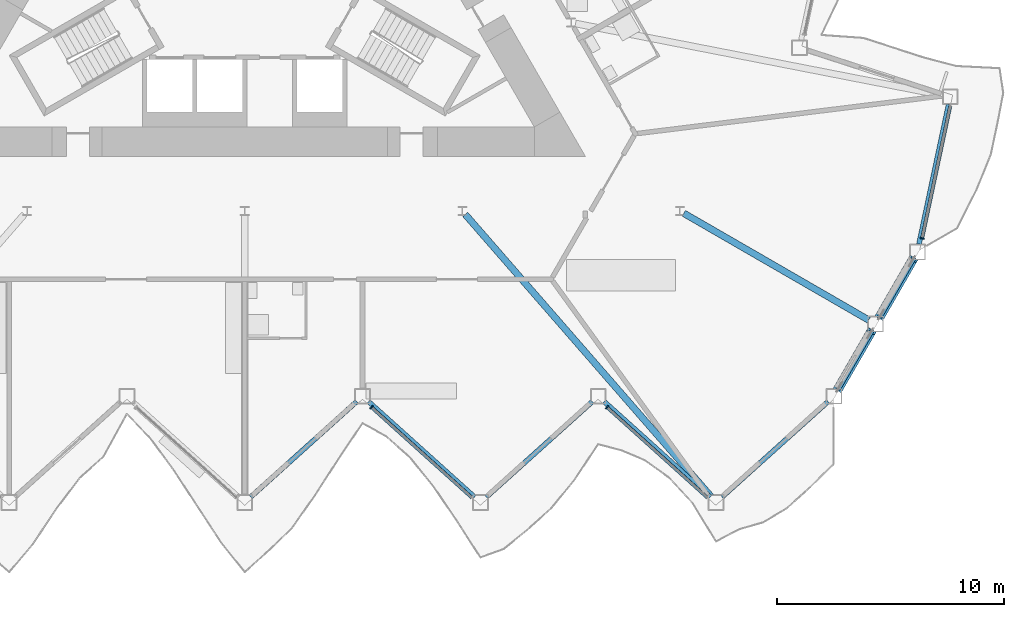
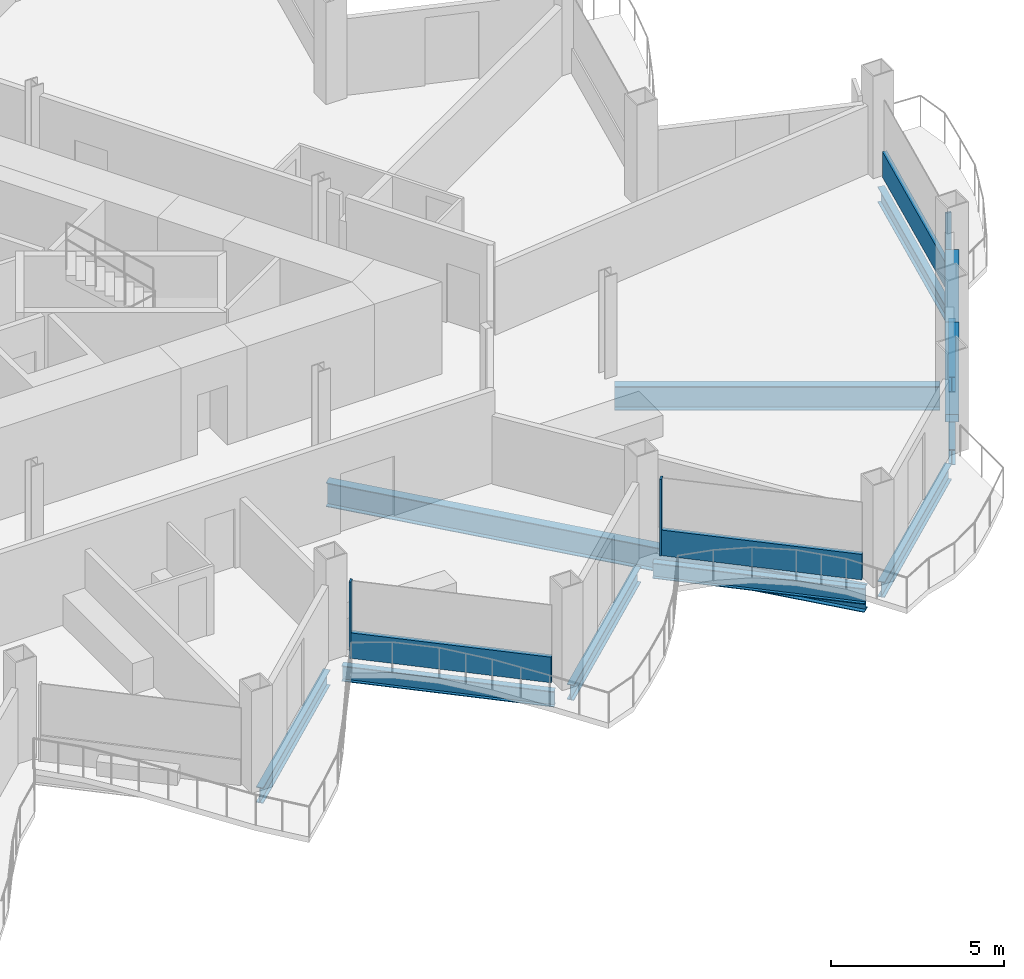
# One storey, part 6 of 24: 10 beams, 8 members, 3 elements without a shape of their own.
"""IFC4 building model written with IfcOpenShell, lengths in metres."""

from ifc_helpers import new_model, si_unit, direction, frame, origin, origin_2d, place, context, subcontext, project, spatial, rectangle, hollow_rectangle, i_section, extrude, material, layer, layer_set, material_profile, profile_set, type_object, element, aggregate, save


model = new_model("IFC4")

# Units and contexts
model_context = context("Model", 3, precision=1e-05, world=origin(), true_north=direction((0.0, 1.0)))
body_context = subcontext(model_context, "Body", "Model", "MODEL_VIEW")
ifc_project = project(units=[si_unit("LENGTHUNIT", "METRE"), si_unit("AREAUNIT", "SQUARE_METRE"), si_unit("VOLUMEUNIT", "CUBIC_METRE"), si_unit("PLANEANGLEUNIT", "RADIAN"), si_unit("MASSUNIT", "GRAM", prefix="KILO")], contexts=[model_context])

# Site, building, storey
site_placement = place(None, origin())
site = spatial("IfcSite", under=ifc_project, at=site_placement, CompositionType="ELEMENT")
building_placement = place(site_placement, origin())
building = spatial("IfcBuilding", under=site, at=building_placement, Name="Cormorant Prow Tower", CompositionType="ELEMENT")
storey_placement = place(building_placement, frame((0.0, 0.0, 274.199951171875)))
storey = spatial("IfcBuildingStorey", under=building, at=storey_placement, Name="L62", CompositionType="ELEMENT", Elevation=274.199951171875)

# Members
ifc_material_1 = material(Name="Structural steel ASTM A500 Gr C", Category="steel")
ifc_material_profile_1 = material_profile(ifc_material_1, hollow_rectangle(XDim=0.406494140625, YDim=0.406494140625, WallThickness=0.01171875, at=origin_2d()), Name="HSS16x16x1/2")
ifc_profile_set_1 = profile_set([ifc_material_profile_1], Name="Structural steel ASTM A500 Gr C")
member_type_1 = type_object("IfcMemberType", Name="Chamfer brace HSS16x16x1/2", PredefinedType="BRACE", material=ifc_profile_set_1)
for number, where, z_axis, x_axis, name in (
    (1, (26.1240234375, -18.898681640625, 0.74951171875), (0.462773096913, 0.801606962687, 0.378506721399), (-0.866041729639, 0.499971721724, 0.0), "Chamfer brace BR2 at ESE00 L62"),
    (2, (27.959228515625, -15.719970703125, 0.74951171875), (0.462773096913, 0.801606962687, 0.378506721399), (-0.866041729639, 0.499971721724, 0.0), "Chamfer brace BR2 at ESE01 L62"),
):
    element("IfcMember", number, at=place(storey_placement, frame(where, z_axis=z_axis, x_axis=x_axis)), inside=storey, type_object=member_type_1, Name=name, PredefinedType="BRACE", context=body_context, shape_type="SweptSolid", body=[
        extrude(hollow_rectangle(XDim=0.406494140625, YDim=0.406494140625, WallThickness=0.01171875, at=origin_2d()), origin(), (0.0, 0.0, 1.0), 3.17529296875),
    ])

# Curtain wall, member
ifc_material_2 = material(Name="Aluminium 6063-T6", Category="aluminium")
ifc_layer = layer(ifc_material_2, 0.179931640625)
ifc_layer_set = layer_set([ifc_layer], Name="Aluminium 6063-T6")
curtain_wall_type = type_object("IfcCurtainWallType", Name="Hotel unitised curtain wall 180", PredefinedType="NOTDEFINED", material=ifc_layer_set)
curtain_wall_1_placement = place(storey_placement, origin())
curtain_wall_1 = element("IfcCurtainWall", 3, at=curtain_wall_1_placement, inside=storey, type_object=curtain_wall_type, Name="Hotel curtain wall S06", PredefinedType="NOTDEFINED")
ifc_material_3 = material(Name="Aluminium 6063-T6", Category="aluminium")
ifc_material_profile_2 = material_profile(ifc_material_3, rectangle(XDim=0.179931640625, YDim=0.06005859375, at=origin_2d()), Name="Hotel mullion 60x180")
ifc_profile_set_2 = profile_set([ifc_material_profile_2], Name="Aluminium 6063-T6")
member_type_2 = type_object("IfcMemberType", Name="Hotel mullion 60x180", PredefinedType="MULLION", material=ifc_profile_set_2)
member_1_placement = place(storey_placement, frame((5.579833984375, -19.701904296875, 0.0), z_axis=(0.0, 0.0, 1.0), x_axis=(0.669130609926, 0.743144822266, 0.0)))
member_1 = element("IfcMember", 4, at=member_1_placement, type_object=member_type_2, Name="Hotel mullion S06", PredefinedType="MULLION", context=body_context, shape_type="SweptSolid", body=[
    extrude(rectangle(XDim=0.179931640625, YDim=0.06005859375, at=origin_2d()), origin(), (0.0, 0.0, 1.0), 2.700927734375),
])

curtain_wall_2_placement = place(storey_placement, origin())
curtain_wall_2 = element("IfcCurtainWall", 5, at=curtain_wall_2_placement, inside=storey, type_object=curtain_wall_type, Name="Hotel curtain wall S08", PredefinedType="NOTDEFINED")
member_2_placement = place(storey_placement, frame((15.9501953125, -19.701904296875, 0.0), z_axis=(0.0, 0.0, 1.0), x_axis=(0.669130609926, 0.743144822266, 0.0)))
member_2 = element("IfcMember", 6, at=member_2_placement, type_object=member_type_2, Name="Hotel mullion S08", PredefinedType="MULLION", context=body_context, shape_type="SweptSolid", body=[
    extrude(rectangle(XDim=0.179931640625, YDim=0.06005859375, at=origin_2d()), origin(), (0.0, 0.0, 1.0), 2.700927734375),
])

curtain_wall_3_placement = place(storey_placement, origin())
curtain_wall_3 = element("IfcCurtainWall", 7, at=curtain_wall_3_placement, inside=storey, type_object=curtain_wall_type, Name="Hotel curtain wall ENE00", PredefinedType="NOTDEFINED")
member_3_placement = place(storey_placement, frame((29.828125, -12.260009765625, 0.0), z_axis=(0.0, 0.0, 1.0), x_axis=(-0.978147597562, 0.207911705739, 0.0)))
member_3 = element("IfcMember", 8, at=member_3_placement, type_object=member_type_2, Name="Hotel mullion ENE00", PredefinedType="MULLION", context=body_context, shape_type="SweptSolid", body=[
    extrude(rectangle(XDim=0.179931640625, YDim=0.06005859375, at=origin_2d()), origin(), (0.0, 0.0, 1.0), 2.700927734375),
])

# Member
ifc_material_4 = material(Name="Terracotta", Category="masonry")
ifc_material_profile_3 = material_profile(ifc_material_4, rectangle(XDim=0.139892578125, YDim=0.89990234375, at=origin_2d()), Name="Hotel terracotta spandrel rail 140x900")
ifc_profile_set_3 = profile_set([ifc_material_profile_3], Name="Terracotta")
member_type_3 = type_object("IfcMemberType", Name="Hotel terracotta spandrel rail 140x900", PredefinedType="USERDEFINED", material=ifc_profile_set_3)
member_4_placement = place(storey_placement, frame((5.60205078125, -19.721923828125, 0.449951171875), z_axis=(0.743138160078, -0.669138008961, 0.0), x_axis=(0.669138008961, 0.743138160078, 0.0)))
member_4 = element("IfcMember", 9, at=member_4_placement, type_object=member_type_3, Name="Hotel spandrel rail S06", ObjectType="TRANSOM", PredefinedType="USERDEFINED", context=body_context, shape_type="SweptSolid", body=[
    extrude(rectangle(XDim=0.139892578125, YDim=0.89990234375, at=origin_2d()), origin(), (0.0, 0.0, 1.0), 5.91552734375),
])

aggregate(curtain_wall_1, [member_1, member_4])

member_5_placement = place(storey_placement, frame((15.97265625, -19.721923828125, 0.449951171875), z_axis=(0.743119680004, -0.669158532181, 0.0), x_axis=(0.669158532181, 0.743119680004, 0.0)))
member_5 = element("IfcMember", 10, at=member_5_placement, type_object=member_type_3, Name="Hotel spandrel rail S08", ObjectType="TRANSOM", PredefinedType="USERDEFINED", context=body_context, shape_type="SweptSolid", body=[
    extrude(rectangle(XDim=0.139892578125, YDim=0.89990234375, at=origin_2d()), origin(), (0.0, 0.0, 1.0), 5.915283203125),
])

aggregate(curtain_wall_2, [member_2, member_5])

member_6_placement = place(storey_placement, frame((29.834228515625, -12.230712890625, 0.449951171875), z_axis=(0.2079278606, 0.978144163601, 0.0), x_axis=(-0.978144163601, 0.2079278606, 0.0)))
member_6 = element("IfcMember", 11, at=member_6_placement, type_object=member_type_3, Name="Hotel spandrel rail ENE00", ObjectType="TRANSOM", PredefinedType="USERDEFINED", context=body_context, shape_type="SweptSolid", body=[
    extrude(rectangle(XDim=0.139892578125, YDim=0.89990234375, at=origin_2d()), origin(), (0.0, 0.0, 1.0), 5.91552734375),
])

aggregate(curtain_wall_3, [member_3, member_6])

# Beams
ifc_material_5 = material(Name="Structural steel ASTM A992 Gr 50", Category="steel")
ifc_material_profile_4 = material_profile(ifc_material_5, i_section(OverallWidth=0.29296875, OverallDepth=0.845703125, WebThickness=0.015380859375, FlangeThickness=0.0244140625, at=origin_2d()), Name="W33x141")
ifc_profile_set_4 = profile_set([ifc_material_profile_4], Name="Structural steel ASTM A992 Gr 50")
beam_type_1 = type_object("IfcBeamType", Name="Radial floor beam W33x141", PredefinedType="BEAM", material=ifc_profile_set_4)
beam_1_placement = place(storey_placement, frame((9.70947265625, -11.210693359375, -0.77294921875), z_axis=(0.656874593387, -0.753999846527, 0.0), x_axis=(0.753999846527, 0.656874593387, 0.0)))
element("IfcBeam", 12, at=beam_1_placement, inside=storey, type_object=beam_type_1, Name="Radial floor beam FB2 8 L62", PredefinedType="BEAM", context=body_context, shape_type="SweptSolid", body=[
    extrude(i_section(OverallWidth=0.29296875, OverallDepth=0.845703125, WebThickness=0.015380859375, FlangeThickness=0.0244140625, at=origin_2d()), origin(), (0.0, 0.0, 1.0), 16.4619140625),
])
beam_2_placement = place(storey_placement, frame((19.32958984375, -11.159912109375, -0.77294921875), z_axis=(0.866021726843, -0.500006368596, 0.0), x_axis=(0.500006368596, 0.866021726843, 0.0)))
element("IfcBeam", 13, at=beam_2_placement, inside=storey, type_object=beam_type_1, Name="Radial floor beam FB2 9 L62", PredefinedType="BEAM", context=body_context, shape_type="SweptSolid", body=[
    extrude(i_section(OverallWidth=0.29296875, OverallDepth=0.845703125, WebThickness=0.015380859375, FlangeThickness=0.0244140625, at=origin_2d()), origin(), (0.0, 0.0, 1.0), 9.40380859375),
])
ifc_material_6 = material(Name="Structural steel ASTM A992 Gr 50", Category="steel")
ifc_material_profile_5 = material_profile(ifc_material_6, i_section(OverallWidth=0.2138671875, OverallDepth=0.549072265625, WebThickness=0.0146484375, FlangeThickness=0.023681640625, at=origin_2d()), Name="W21x93")
ifc_profile_set_5 = profile_set([ifc_material_profile_5], Name="Structural steel ASTM A992 Gr 50")
beam_type_2 = type_object("IfcBeamType", Name="Spandrel beam W21x93", PredefinedType="SPANDREL", material=ifc_profile_set_5)
for number, where, z_axis, x_axis, name in (
    (14, (0.260009765625, -23.65283203125, -0.62451171875), (0.743156918576, 0.669117175368, 0.0), (-0.669117175368, 0.743156918576, 0.0), "Spandrel beam SB2 S05-S06 L62"),
    (15, (5.4482421875, -19.44970703125, -0.62451171875), (0.743156918576, -0.669117175368, 0.0), (0.669117175368, 0.743156918576, 0.0), "Spandrel beam SB2 S06-S07 L62"),
    (16, (10.636474609375, -23.65283203125, -0.62451171875), (0.743156918576, 0.669117175368, 0.0), (-0.669117175368, 0.743156918576, 0.0), "Spandrel beam SB2 S07-S08 L62"),
    (17, (15.82470703125, -19.44970703125, -0.62451171875), (0.743156918576, -0.669117175368, 0.0), (0.669117175368, 0.743156918576, 0.0), "Spandrel beam SB2 S08-S09 L62"),
    (18, (21.012939453125, -23.65283203125, -0.62451171875), (0.743156918576, 0.669117175368, 0.0), (-0.669117175368, 0.743156918576, 0.0), "Spandrel beam SB2 S09-ESE00 L62"),
):
    element("IfcBeam", number, at=place(storey_placement, frame(where, z_axis=z_axis, x_axis=x_axis)), inside=storey, type_object=beam_type_2, Name=name, PredefinedType="SPANDREL", context=body_context, shape_type="SweptSolid", body=[
        extrude(i_section(OverallWidth=0.2138671875, OverallDepth=0.549072265625, WebThickness=0.0146484375, FlangeThickness=0.023681640625, at=origin_2d()), origin(), (0.0, 0.0, 1.0), 6.281494140625),
    ])
for number, where, z_axis, x_axis, name in (
    (19, (26.1162109375, -18.912353515625, -0.62451171875), (0.499966725515, 0.866044613965, 0.0), (-0.866044613965, 0.499966725515, 0.0), "Spandrel beam SB2 ESE00-ESE01 L62"),
    (20, (27.951416015625, -15.733642578125, -0.62451171875), (0.499966725515, 0.866044613965, 0.0), (-0.866044613965, 0.499966725515, 0.0), "Spandrel beam SB2 ESE01-ENE00 L62"),
):
    element("IfcBeam", number, at=place(storey_placement, frame(where, z_axis=z_axis, x_axis=x_axis)), inside=storey, type_object=beam_type_2, Name=name, PredefinedType="SPANDREL", context=body_context, shape_type="SweptSolid", body=[
        extrude(i_section(OverallWidth=0.2138671875, OverallDepth=0.549072265625, WebThickness=0.0146484375, FlangeThickness=0.023681640625, at=origin_2d()), origin(), (0.0, 0.0, 1.0), 2.970458984375),
    ])
beam_3_placement = place(storey_placement, frame((29.684326171875, -12.515625, -0.62451171875), z_axis=(0.207941499013, 0.978141264331, 0.0), x_axis=(-0.978141264331, 0.207941499013, 0.0)))
element("IfcBeam", 21, at=beam_3_placement, inside=storey, type_object=beam_type_2, Name="Spandrel beam SB2 ENE00-ENE01 L62", PredefinedType="SPANDREL", context=body_context, shape_type="SweptSolid", body=[
    extrude(i_section(OverallWidth=0.2138671875, OverallDepth=0.549072265625, WebThickness=0.0146484375, FlangeThickness=0.023681640625, at=origin_2d()), origin(), (0.0, 0.0, 1.0), 6.28125),
])

save(model, "model.ifc")
